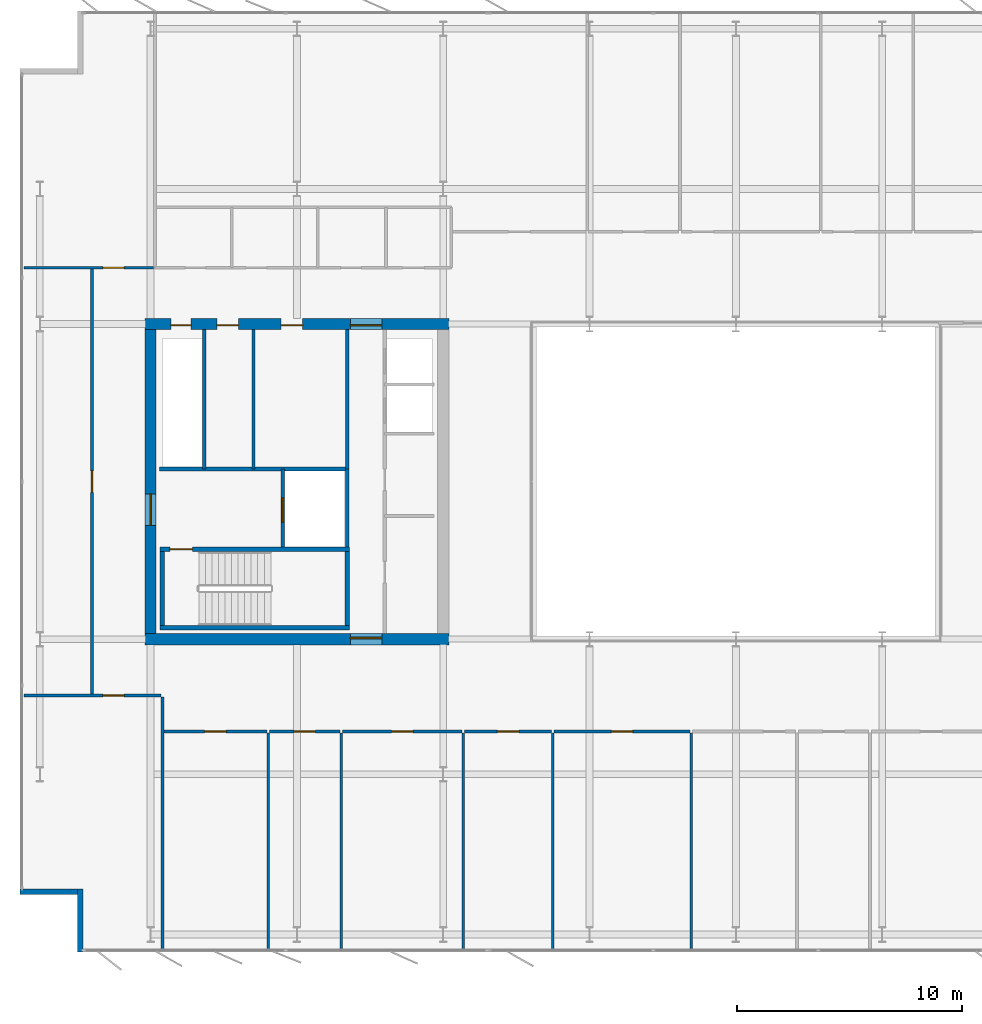
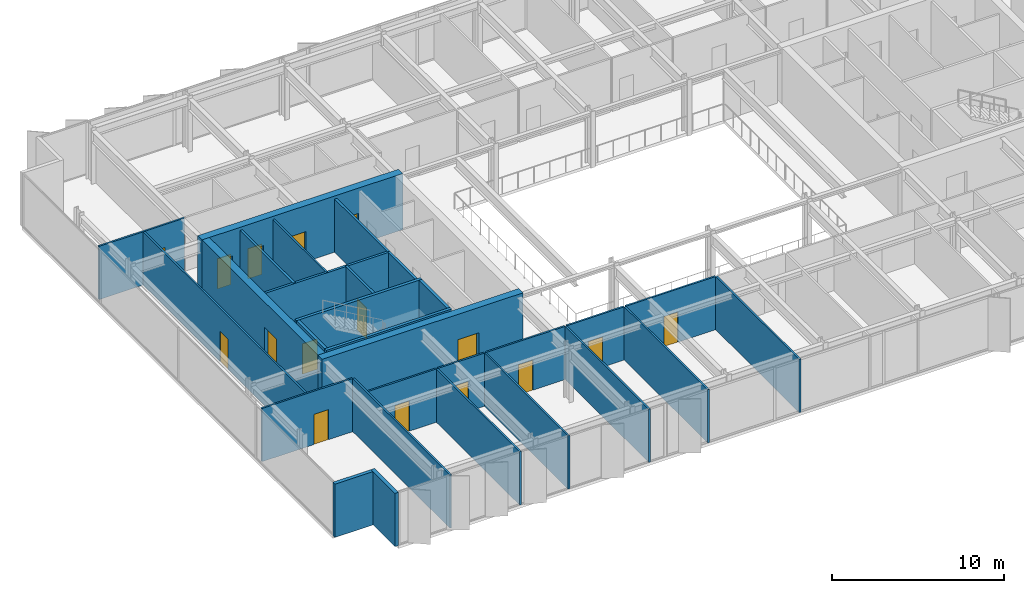
# One storey, part 13 of 20: 29 walls, 16 doors, 16 openings.
"""IFC4 building model written with IfcOpenShell, lengths in metres."""

from ifc_helpers import new_model, si_unit, direction, frame, frame_2d, origin, place, context, subcontext, project, spatial, rectangle, extrude, material, layer, layer_set, type_object, element, fill, save


model = new_model("IFC4")

# Units and contexts
model_context = context("Model", 3, precision=1e-05, world=origin(), true_north=direction((0.0, 1.0)))
body_context = subcontext(model_context, "Body", "Model", "MODEL_VIEW")
ifc_project = project(units=[si_unit("LENGTHUNIT", "METRE"), si_unit("AREAUNIT", "SQUARE_METRE"), si_unit("VOLUMEUNIT", "CUBIC_METRE"), si_unit("PLANEANGLEUNIT", "RADIAN"), si_unit("MASSUNIT", "GRAM", prefix="KILO")], contexts=[model_context])

# Site, building, storey
site_placement = place(None, origin())
site = spatial("IfcSite", under=ifc_project, at=site_placement, CompositionType="ELEMENT")
building_placement = place(site_placement, origin())
building = spatial("IfcBuilding", under=site, at=building_placement, Name="Putna Gate Headquarters", CompositionType="ELEMENT")
storey_placement = place(building_placement, frame((0.0, 0.0, 302.39990234375)))
storey = spatial("IfcBuildingStorey", under=building, at=storey_placement, Name="L76", CompositionType="ELEMENT", Elevation=302.39990234375)

# Wall, opening, door
ifc_material_1 = material(Name="Concrete C50/60", Category="concrete")
ifc_layer_1 = layer(ifc_material_1, 0.5)
ifc_layer_set_1 = layer_set([ifc_layer_1], Name="Concrete C50/60")
wall_type_1 = type_object("IfcWallType", Name="WALL-CORE-500", PredefinedType="SHEAR", material=ifc_layer_set_1)
wall_1_placement = place(storey_placement, frame((12.75, 19.0, 0.0), z_axis=(0.0, 0.0, 1.0), x_axis=(1.0, 0.0, 0.0)))
wall_1 = element("IfcWall", 1, at=wall_1_placement, inside=storey, type_object=wall_type_1, Name="L76 WC Split Core Shear Wall S", PredefinedType="SHEAR", context=body_context, shape_type="SweptSolid", body=[
    extrude(rectangle(XDim=13.5, YDim=0.5, at=frame_2d((6.75, 0.0))), origin(), (0.0, 0.0, 1.0), 4.0),
])
opening_1_placement = place(wall_1_placement, frame((9.1298828125, 0.0, 0.0)))
opening_1 = element("IfcOpeningElement", 2, at=opening_1_placement, cuts=wall_1, Name="Opening FDD-140", PredefinedType="OPENING", context=body_context, shape_type="SweptSolid", body=[
    extrude(rectangle(XDim=1.39990234375, YDim=2.199951171875, at=frame_2d((0.699951171875, 1.10009765625))), frame((0.0, 0.260009765625, 0.0), z_axis=(0.0, -1.0, 0.0), x_axis=(1.0, 0.0, 0.0)), (0.0, 0.0, 1.0), 0.52001953125),
])
ifc_material_2 = material(Name="Double steel fire door", Category="steel")
door_type_1 = type_object("IfcDoorType", Name="DOOR-FIRE-DBL-1400", OperationType="DOUBLE_DOOR_SINGLE_SWING", PredefinedType="DOOR", material=ifc_material_2)
door_1_placement = place(opening_1_placement, origin())
door_1 = element("IfcDoor", 3, at=door_1_placement, inside=storey, type_object=door_type_1, Name="L76 West Lift Lobby South Door", OperationType="DOUBLE_DOOR_SINGLE_SWING", OverallHeight=2.199951171875, OverallWidth=1.39990234375, PredefinedType="DOOR", context=body_context, shape_type="SweptSolid", body=[
    extrude(rectangle(XDim=1.39990234375, YDim=2.199951171875, at=frame_2d((0.699951171875, 1.10009765625))), frame((0.0, 0.0751953125, 0.0), z_axis=(0.0, -1.0, 0.0), x_axis=(1.0, 0.0, 0.0)), (0.0, 0.0, 1.0), 0.050048828125),
])
fill(opening_1, door_1)

# Wall, openings, doors
wall_2_placement = place(storey_placement, frame((12.75, 33.0, 0.0), z_axis=(0.0, 0.0, 1.0), x_axis=(1.0, 0.0, 0.0)))
wall_2 = element("IfcWall", 4, at=wall_2_placement, inside=storey, type_object=wall_type_1, Name="L76 WC Split Core Shear Wall N", PredefinedType="SHEAR", context=body_context, shape_type="SweptSolid", body=[
    extrude(rectangle(XDim=13.5, YDim=0.5, at=frame_2d((6.75, 0.0))), origin(), (0.0, 0.0, 1.0), 4.0),
])
opening_2_placement = place(wall_2_placement, frame((1.14990234375, 0.0, 0.0)))
opening_2 = element("IfcOpeningElement", 5, at=opening_2_placement, cuts=wall_2, Name="Opening RD-90", PredefinedType="OPENING", context=body_context, shape_type="SweptSolid", body=[
    extrude(rectangle(XDim=0.89990234375, YDim=2.14990234375, at=frame_2d((0.449951171875, 1.074951171875))), frame((0.0, 0.260009765625, 0.0), z_axis=(0.0, -1.0, 0.0), x_axis=(1.0, 0.0, 0.0)), (0.0, 0.0, 1.0), 0.52001953125),
])
opening_3_placement = place(wall_2_placement, frame((3.199951171875, 0.0, 0.0)))
opening_3 = element("IfcOpeningElement", 6, at=opening_3_placement, cuts=wall_2, Name="Opening IDS-95", PredefinedType="OPENING", context=body_context, shape_type="SweptSolid", body=[
    extrude(rectangle(XDim=0.949951171875, YDim=2.14990234375, at=frame_2d((0.47509765625, 1.074951171875))), frame((0.0, 0.260009765625, 0.0), z_axis=(0.0, -1.0, 0.0), x_axis=(1.0, 0.0, 0.0)), (0.0, 0.0, 1.0), 0.52001953125),
])
opening_4_placement = place(wall_2_placement, frame((6.050048828125, 0.0, 0.0)))
opening_4 = element("IfcOpeningElement", 7, at=opening_4_placement, cuts=wall_2, Name="Opening IDS-95", PredefinedType="OPENING", context=body_context, shape_type="SweptSolid", body=[
    extrude(rectangle(XDim=0.949951171875, YDim=2.14990234375, at=frame_2d((0.47509765625, 1.074951171875))), frame((0.0, 0.260009765625, 0.0), z_axis=(0.0, -1.0, 0.0), x_axis=(1.0, 0.0, 0.0)), (0.0, 0.0, 1.0), 0.52001953125),
])
opening_5_placement = place(wall_2_placement, frame((9.1298828125, 0.0, 0.0)))
opening_5 = element("IfcOpeningElement", 8, at=opening_5_placement, cuts=wall_2, Name="Opening FDD-140", PredefinedType="OPENING", context=body_context, shape_type="SweptSolid", body=[
    extrude(rectangle(XDim=1.39990234375, YDim=2.199951171875, at=frame_2d((0.699951171875, 1.10009765625))), frame((0.0, 0.260009765625, 0.0), z_axis=(0.0, -1.0, 0.0), x_axis=(1.0, 0.0, 0.0)), (0.0, 0.0, 1.0), 0.52001953125),
])
door_2_placement = place(opening_5_placement, origin())
door_2 = element("IfcDoor", 9, at=door_2_placement, inside=storey, type_object=door_type_1, Name="L76 West Lift Lobby North Door", OperationType="DOUBLE_DOOR_SINGLE_SWING", OverallHeight=2.199951171875, OverallWidth=1.39990234375, PredefinedType="DOOR", context=body_context, shape_type="SweptSolid", body=[
    extrude(rectangle(XDim=1.39990234375, YDim=2.199951171875, at=frame_2d((0.699951171875, 1.10009765625))), frame((0.0, -0.02490234375, 0.0), z_axis=(0.0, -1.0, 0.0), x_axis=(1.0, 0.0, 0.0)), (0.0, 0.0, 1.0), 0.050048828125),
])
fill(opening_5, door_2)
ifc_material_3 = material(Name="Fire-rated service timber door", Category="wood")
door_type_2 = type_object("IfcDoorType", Name="DOOR-INT-950", OperationType="NOTDEFINED", PredefinedType="DOOR", material=ifc_material_3)
door_3_placement = place(opening_3_placement, origin())
door_3 = element("IfcDoor", 10, at=door_3_placement, inside=storey, type_object=door_type_2, Name="L76 Archive Store Door", OperationType="SINGLE_SWING_LEFT", OverallHeight=2.14990234375, OverallWidth=0.949951171875, PredefinedType="DOOR", context=body_context, shape_type="SweptSolid", body=[
    extrude(rectangle(XDim=0.949951171875, YDim=2.14990234375, at=frame_2d((0.47509765625, 1.074951171875))), frame((0.0, -0.02490234375, 0.0), z_axis=(0.0, -1.0, 0.0), x_axis=(1.0, 0.0, 0.0)), (0.0, 0.0, 1.0), 0.050048828125),
])
fill(opening_3, door_3)
door_4_placement = place(opening_4_placement, origin())
door_4 = element("IfcDoor", 11, at=door_4_placement, inside=storey, type_object=door_type_2, Name="L76 Switchgear Plant Door", OperationType="SINGLE_SWING_RIGHT", OverallHeight=2.14990234375, OverallWidth=0.949951171875, PredefinedType="DOOR", context=body_context, shape_type="SweptSolid", body=[
    extrude(rectangle(XDim=0.949951171875, YDim=2.14990234375, at=frame_2d((0.47509765625, 1.074951171875))), frame((0.0, -0.02490234375, 0.0), z_axis=(0.0, -1.0, 0.0), x_axis=(1.0, 0.0, 0.0)), (0.0, 0.0, 1.0), 0.050048828125),
])
fill(opening_4, door_4)
ifc_material_4 = material(Name="Steel riser access fire door", Category="steel")
door_type_3 = type_object("IfcDoorType", Name="DOOR-RISER-900", OperationType="NOTDEFINED", PredefinedType="DOOR", material=ifc_material_4)
door_5_placement = place(opening_2_placement, origin())
door_5 = element("IfcDoor", 12, at=door_5_placement, inside=storey, type_object=door_type_3, Name="L76 West Riser Access Door", OperationType="SINGLE_SWING_RIGHT", OverallHeight=2.14990234375, OverallWidth=0.89990234375, PredefinedType="DOOR", context=body_context, shape_type="SweptSolid", body=[
    extrude(rectangle(XDim=0.89990234375, YDim=2.14990234375, at=frame_2d((0.449951171875, 1.074951171875))), frame((0.0, -0.02490234375, 0.0), z_axis=(0.0, -1.0, 0.0), x_axis=(1.0, 0.0, 0.0)), (0.0, 0.0, 1.0), 0.050048828125),
])
fill(opening_2, door_5)

# Wall, opening, door
wall_3_placement = place(storey_placement, frame((13.0, 19.25, 0.0), z_axis=(0.0, 0.0, 1.0), x_axis=(0.0, 1.0, 0.0)))
wall_3 = element("IfcWall", 13, at=wall_3_placement, inside=storey, type_object=wall_type_1, Name="L76 WC Split Core Shear Wall W", PredefinedType="SHEAR", context=body_context, shape_type="SweptSolid", body=[
    extrude(rectangle(XDim=13.5, YDim=0.5, at=frame_2d((6.75, 0.0))), origin(), (0.0, 0.0, 1.0), 4.0),
])
opening_6_placement = place(wall_3_placement, frame((4.800048828125, 0.0, 0.0)))
opening_6 = element("IfcOpeningElement", 14, at=opening_6_placement, cuts=wall_3, Name="Opening FDD-140", PredefinedType="OPENING", context=body_context, shape_type="SweptSolid", body=[
    extrude(rectangle(XDim=1.39990234375, YDim=2.199951171875, at=frame_2d((0.699951171875, 1.10009765625))), frame((0.0, 0.260009765625, 0.0), z_axis=(0.0, -1.0, 0.0), x_axis=(1.0, 0.0, 0.0)), (0.0, 0.0, 1.0), 0.52001953125),
])
door_6_placement = place(opening_6_placement, origin())
door_6 = element("IfcDoor", 15, at=door_6_placement, inside=storey, type_object=door_type_1, Name="L76 West Firefighting Lobby Door", OperationType="DOUBLE_DOOR_SINGLE_SWING", OverallHeight=2.199951171875, OverallWidth=1.39990234375, PredefinedType="DOOR", context=body_context, shape_type="SweptSolid", body=[
    extrude(rectangle(XDim=1.39990234375, YDim=2.199951171875, at=frame_2d((0.699951171875, 1.10009765625))), frame((0.0, 0.02490234375, 0.0), z_axis=(0.0, -1.0, 0.0), x_axis=(1.0, 0.0, 0.0)), (0.0, 0.0, 1.0), 0.050048828125),
])
fill(opening_6, door_6)

# Walls
ifc_material_5 = material(Name="Precast concrete C40/50", Category="concrete")
ifc_layer_2 = layer(ifc_material_5, 0.239990234375)
ifc_layer_set_2 = layer_set([ifc_layer_2], Name="Precast concrete C40/50")
wall_type_2 = type_object("IfcWallType", Name="WALL-EXT-TERR-240", PredefinedType="STANDARD", material=ifc_layer_set_2)
wall_4_placement = place(storey_placement, frame((9.8798828125, 5.10009765625, 0.0), z_axis=(0.0, 0.0, 1.0), x_axis=(0.0, 1.0, 0.0)))
element("IfcWall", 16, at=wall_4_placement, inside=storey, type_object=wall_type_2, Name="L76 Corner Notch Return Wall SW-V", PredefinedType="STANDARD", context=body_context, shape_type="SweptSolid", body=[
    extrude(rectangle(XDim=2.7998046875, YDim=0.239990234375, at=frame_2d((1.39990234375, 0.0))), origin(), (0.0, 0.0, 1.0), 3.7880859375),
])
wall_5_placement = place(storey_placement, frame((10.0, 7.780029296875, 0.0), z_axis=(0.0, 0.0, 1.0), x_axis=(-1.0, 0.0, 0.0)))
element("IfcWall", 17, at=wall_5_placement, inside=storey, type_object=wall_type_2, Name="L76 Corner Notch Return Wall SW-H", PredefinedType="STANDARD", context=body_context, shape_type="SweptSolid", body=[
    extrude(rectangle(XDim=2.800048828125, YDim=0.239990234375, at=frame_2d((1.39990234375, 0.0))), origin(), (0.0, 0.0, 1.0), 3.7880859375),
])
ifc_material_6 = material(Name="Acoustic gypsum board on metal stud")
ifc_layer_3 = layer(ifc_material_6, 0.1201171875)
ifc_layer_set_3 = layer_set([ifc_layer_3], Name="Acoustic gypsum board on metal stud")
wall_type_3 = type_object("IfcWallType", Name="WALL-PART-120", PredefinedType="PARTITIONING", material=ifc_layer_set_3)
wall_6_placement = place(storey_placement, frame((13.530517578125, 5.1201171875, 0.0), z_axis=(0.0, 0.0, 1.0), x_axis=(0.0, 1.0, 0.0)))
element("IfcWall", 18, at=wall_6_placement, inside=storey, type_object=wall_type_3, Name="L76 Interior Wall PART-L76-SB-DIV-01", PredefinedType="PARTITIONING", context=body_context, shape_type="SweptSolid", body=[
    extrude(rectangle(XDim=11.31982421875, YDim=0.1201171875, at=frame_2d((5.659912109375, 0.0))), origin(), (0.0, 0.0, 1.0), 3.7880859375),
])
for number, where, z_axis, x_axis, name in (
    (19, (18.224853515625, 5.1201171875, 0.0), (0.0, 0.0, 1.0), (0.0, 1.0, 0.0), "L76 Interior Wall PART-L76-SB-DIV-02"),
    (20, (21.4697265625, 5.1201171875, 0.0), (0.0, 0.0, 1.0), (0.0, 1.0, 0.0), "L76 Interior Wall PART-L76-SB-DIV-03"),
    (21, (26.8955078125, 5.1201171875, 0.0), (0.0, 0.0, 1.0), (0.0, 1.0, 0.0), "L76 Interior Wall PART-L76-SB-DIV-04"),
    (22, (30.864990234375, 5.1201171875, 0.0), (0.0, 0.0, 1.0), (0.0, 1.0, 0.0), "L76 Interior Wall PART-L76-SB-DIV-05"),
    (23, (37.015380859375, 5.1201171875, 0.0), (0.0, 0.0, 1.0), (0.0, 1.0, 0.0), "L76 Interior Wall PART-L76-SB-DIV-06"),
):
    element("IfcWall", number, at=place(storey_placement, frame(where, z_axis=z_axis, x_axis=x_axis)), inside=storey, type_object=wall_type_3, Name=name, PredefinedType="PARTITIONING", context=body_context, shape_type="SweptSolid", body=[
        extrude(rectangle(XDim=9.719970703125, YDim=0.1201171875, at=frame_2d((4.85986328125, 0.0))), origin(), (0.0, 0.0, 1.0), 3.7880859375),
    ])
ifc_material_7 = material(Name="Fire-rated gypsum board on metal stud")
ifc_layer_4 = layer(ifc_material_7, 0.1201171875)
ifc_layer_set_4 = layer_set([ifc_layer_4], Name="Fire-rated gypsum board on metal stud")
wall_type_4 = type_object("IfcWallType", Name="WALL-PART-120-RATED", PredefinedType="PARTITIONING", material=ifc_layer_set_4)
wall_7_placement = place(storey_placement, frame((17.570068359375, 26.56005859375, 0.0), z_axis=(0.0, 0.0, 1.0), x_axis=(0.0, 1.0, 0.0)))
element("IfcWall", 24, at=wall_7_placement, inside=storey, type_object=wall_type_4, Name="L76 Interior Wall CWINT-L76-WC-K1-DIV", PredefinedType="PARTITIONING", context=body_context, shape_type="SweptSolid", body=[
    extrude(rectangle(XDim=6.18994140625, YDim=0.1201171875, at=frame_2d((3.094970703125, 0.0))), origin(), (0.0, 0.0, 1.0), 3.7880859375),
])

# Wall, opening, door
wall_8_placement = place(storey_placement, frame((7.3798828125, 35.5, 0.0), z_axis=(0.0, 0.0, 1.0), x_axis=(1.0, 0.0, 0.0)))
wall_8 = element("IfcWall", 25, at=wall_8_placement, inside=storey, type_object=wall_type_4, Name="L76 Interior Wall PART-L76-NB-CW-01", PredefinedType="PARTITIONING", context=body_context, shape_type="SweptSolid", body=[
    extrude(rectangle(XDim=5.760009765625, YDim=0.1201171875, at=frame_2d((2.8798828125, 0.0))), origin(), (0.0, 0.0, 1.0), 3.7880859375),
])
opening_7_placement = place(wall_8_placement, frame((3.5, 0.0, 0.0)))
opening_7 = element("IfcOpeningElement", 26, at=opening_7_placement, cuts=wall_8, Name="Opening FD-95", PredefinedType="OPENING", context=body_context, shape_type="SweptSolid", body=[
    extrude(rectangle(XDim=0.949951171875, YDim=2.14990234375, at=frame_2d((0.47509765625, 1.074951171875))), frame((0.0, 0.070068359375, 0.0), z_axis=(0.0, -1.0, 0.0), x_axis=(1.0, 0.0, 0.0)), (0.0, 0.0, 1.0), 0.14013671875),
])
ifc_material_8 = material(Name="Acoustic timber fire door", Category="wood")
door_type_4 = type_object("IfcDoorType", Name="DOOR-FIRE-950", OperationType="NOTDEFINED", PredefinedType="DOOR", material=ifc_material_8)
door_7_placement = place(opening_7_placement, origin())
door_7 = element("IfcDoor", 27, at=door_7_placement, inside=storey, type_object=door_type_4, Name="L76 Cellular Office 4 Door", OperationType="SINGLE_SWING_RIGHT", OverallHeight=2.14990234375, OverallWidth=0.949951171875, PredefinedType="DOOR", context=body_context, shape_type="SweptSolid", body=[
    extrude(rectangle(XDim=0.949951171875, YDim=2.14990234375, at=frame_2d((0.47509765625, 1.074951171875))), frame((0.0, 0.02490234375, 0.0), z_axis=(0.0, -1.0, 0.0), x_axis=(1.0, 0.0, 0.0)), (0.0, 0.0, 1.0), 0.050048828125),
])
fill(opening_7, door_7)

wall_9_placement = place(storey_placement, frame((7.3798828125, 16.5, 0.0), z_axis=(0.0, 0.0, 1.0), x_axis=(1.0, 0.0, 0.0)))
wall_9 = element("IfcWall", 28, at=wall_9_placement, inside=storey, type_object=wall_type_4, Name="L76 Interior Wall PART-L76-SB-CW-01", PredefinedType="PARTITIONING", context=body_context, shape_type="SweptSolid", body=[
    extrude(rectangle(XDim=6.090576171875, YDim=0.1201171875, at=frame_2d((3.04541015625, 0.0))), origin(), (0.0, 0.0, 1.0), 3.7880859375),
])
opening_8_placement = place(wall_9_placement, frame((3.5, 0.0, 0.0)))
opening_8 = element("IfcOpeningElement", 29, at=opening_8_placement, cuts=wall_9, Name="Opening FD-95", PredefinedType="OPENING", context=body_context, shape_type="SweptSolid", body=[
    extrude(rectangle(XDim=0.949951171875, YDim=2.14990234375, at=frame_2d((0.47509765625, 1.074951171875))), frame((0.0, 0.070068359375, 0.0), z_axis=(0.0, -1.0, 0.0), x_axis=(1.0, 0.0, 0.0)), (0.0, 0.0, 1.0), 0.14013671875),
])
door_8_placement = place(opening_8_placement, origin())
door_8 = element("IfcDoor", 30, at=door_8_placement, inside=storey, type_object=door_type_4, Name="L76 Cellular Office 6 Door", OperationType="SINGLE_SWING_RIGHT", OverallHeight=2.14990234375, OverallWidth=0.949951171875, PredefinedType="DOOR", context=body_context, shape_type="SweptSolid", body=[
    extrude(rectangle(XDim=0.949951171875, YDim=2.14990234375, at=frame_2d((0.47509765625, 1.074951171875))), frame((0.0, 0.02490234375, 0.0), z_axis=(0.0, -1.0, 0.0), x_axis=(1.0, 0.0, 0.0)), (0.0, 0.0, 1.0), 0.050048828125),
])
fill(opening_8, door_8)

wall_10_placement = place(storey_placement, frame((13.590576171875, 14.89990234375, 0.0), z_axis=(0.0, 0.0, 1.0), x_axis=(1.0, 0.0, 0.0)))
wall_10 = element("IfcWall", 31, at=wall_10_placement, inside=storey, type_object=wall_type_4, Name="L76 Interior Wall PART-L76-SB-CW-02", PredefinedType="PARTITIONING", context=body_context, shape_type="SweptSolid", body=[
    extrude(rectangle(XDim=4.57421875, YDim=0.1201171875, at=frame_2d((2.287109375, 0.0))), origin(), (0.0, 0.0, 1.0), 3.7880859375),
])
opening_9_placement = place(wall_10_placement, frame((1.812255859375, 0.0, 0.0)))
opening_9 = element("IfcOpeningElement", 32, at=opening_9_placement, cuts=wall_10, Name="Opening FD-95", PredefinedType="OPENING", context=body_context, shape_type="SweptSolid", body=[
    extrude(rectangle(XDim=0.949951171875, YDim=2.14990234375, at=frame_2d((0.47509765625, 1.074951171875))), frame((0.0, 0.070068359375, 0.0), z_axis=(0.0, -1.0, 0.0), x_axis=(1.0, 0.0, 0.0)), (0.0, 0.0, 1.0), 0.14013671875),
])
door_9_placement = place(opening_9_placement, origin())
door_9 = element("IfcDoor", 33, at=door_9_placement, inside=storey, type_object=door_type_4, Name="L76 Conference Meeting Room 6 Door", OperationType="SINGLE_SWING_LEFT", OverallHeight=2.14990234375, OverallWidth=0.949951171875, PredefinedType="DOOR", context=body_context, shape_type="SweptSolid", body=[
    extrude(rectangle(XDim=0.949951171875, YDim=2.14990234375, at=frame_2d((0.47509765625, 1.074951171875))), frame((0.0, 0.02490234375, 0.0), z_axis=(0.0, -1.0, 0.0), x_axis=(1.0, 0.0, 0.0)), (0.0, 0.0, 1.0), 0.050048828125),
])
fill(opening_9, door_9)

wall_11_placement = place(storey_placement, frame((18.284912109375, 14.89990234375, 0.0), z_axis=(0.0, 0.0, 1.0), x_axis=(1.0, 0.0, 0.0)))
wall_11 = element("IfcWall", 34, at=wall_11_placement, inside=storey, type_object=wall_type_4, Name="L76 Interior Wall PART-L76-SB-CW-03", PredefinedType="PARTITIONING", context=body_context, shape_type="SweptSolid", body=[
    extrude(rectangle(XDim=3.124755859375, YDim=0.1201171875, at=frame_2d((1.5625, 0.0))), origin(), (0.0, 0.0, 1.0), 3.7880859375),
])
opening_10_placement = place(wall_11_placement, frame((1.08740234375, 0.0, 0.0)))
opening_10 = element("IfcOpeningElement", 35, at=opening_10_placement, cuts=wall_11, Name="Opening FD-95", PredefinedType="OPENING", context=body_context, shape_type="SweptSolid", body=[
    extrude(rectangle(XDim=0.949951171875, YDim=2.14990234375, at=frame_2d((0.47509765625, 1.074951171875))), frame((0.0, 0.070068359375, 0.0), z_axis=(0.0, -1.0, 0.0), x_axis=(1.0, 0.0, 0.0)), (0.0, 0.0, 1.0), 0.14013671875),
])
door_10_placement = place(opening_10_placement, origin())
door_10 = element("IfcDoor", 36, at=door_10_placement, inside=storey, type_object=door_type_4, Name="L76 Conference Meeting Room 7 Door", OperationType="SINGLE_SWING_RIGHT", OverallHeight=2.14990234375, OverallWidth=0.949951171875, PredefinedType="DOOR", context=body_context, shape_type="SweptSolid", body=[
    extrude(rectangle(XDim=0.949951171875, YDim=2.14990234375, at=frame_2d((0.47509765625, 1.074951171875))), frame((0.0, 0.02490234375, 0.0), z_axis=(0.0, -1.0, 0.0), x_axis=(1.0, 0.0, 0.0)), (0.0, 0.0, 1.0), 0.050048828125),
])
fill(opening_10, door_10)

wall_12_placement = place(storey_placement, frame((21.52978515625, 14.89990234375, 0.0), z_axis=(0.0, 0.0, 1.0), x_axis=(1.0, 0.0, 0.0)))
wall_12 = element("IfcWall", 37, at=wall_12_placement, inside=storey, type_object=wall_type_4, Name="L76 Interior Wall PART-L76-SB-CW-04", PredefinedType="PARTITIONING", context=body_context, shape_type="SweptSolid", body=[
    extrude(rectangle(XDim=5.3056640625, YDim=0.1201171875, at=frame_2d((2.65283203125, 0.0))), origin(), (0.0, 0.0, 1.0), 3.7880859375),
])
opening_11_placement = place(wall_12_placement, frame((2.177734375, 0.0, 0.0)))
opening_11 = element("IfcOpeningElement", 38, at=opening_11_placement, cuts=wall_12, Name="Opening FD-95", PredefinedType="OPENING", context=body_context, shape_type="SweptSolid", body=[
    extrude(rectangle(XDim=0.949951171875, YDim=2.14990234375, at=frame_2d((0.47509765625, 1.074951171875))), frame((0.0, 0.070068359375, 0.0), z_axis=(0.0, -1.0, 0.0), x_axis=(1.0, 0.0, 0.0)), (0.0, 0.0, 1.0), 0.14013671875),
])
door_11_placement = place(opening_11_placement, origin())
door_11 = element("IfcDoor", 39, at=door_11_placement, inside=storey, type_object=door_type_4, Name="L76 Conference Meeting Room 8 Door", OperationType="SINGLE_SWING_LEFT", OverallHeight=2.14990234375, OverallWidth=0.949951171875, PredefinedType="DOOR", context=body_context, shape_type="SweptSolid", body=[
    extrude(rectangle(XDim=0.949951171875, YDim=2.14990234375, at=frame_2d((0.47509765625, 1.074951171875))), frame((0.0, 0.02490234375, 0.0), z_axis=(0.0, -1.0, 0.0), x_axis=(1.0, 0.0, 0.0)), (0.0, 0.0, 1.0), 0.050048828125),
])
fill(opening_11, door_11)

wall_13_placement = place(storey_placement, frame((26.955322265625, 14.89990234375, 0.0), z_axis=(0.0, 0.0, 1.0), x_axis=(1.0, 0.0, 0.0)))
wall_13 = element("IfcWall", 40, at=wall_13_placement, inside=storey, type_object=wall_type_4, Name="L76 Interior Wall PART-L76-SB-CW-05", PredefinedType="PARTITIONING", context=body_context, shape_type="SweptSolid", body=[
    extrude(rectangle(XDim=3.849609375, YDim=0.1201171875, at=frame_2d((1.9248046875, 0.0))), origin(), (0.0, 0.0, 1.0), 3.7880859375),
])
opening_12_placement = place(wall_13_placement, frame((1.44970703125, 0.0, 0.0)))
opening_12 = element("IfcOpeningElement", 41, at=opening_12_placement, cuts=wall_13, Name="Opening FD-95", PredefinedType="OPENING", context=body_context, shape_type="SweptSolid", body=[
    extrude(rectangle(XDim=0.949951171875, YDim=2.14990234375, at=frame_2d((0.47509765625, 1.074951171875))), frame((0.0, 0.070068359375, 0.0), z_axis=(0.0, -1.0, 0.0), x_axis=(1.0, 0.0, 0.0)), (0.0, 0.0, 1.0), 0.14013671875),
])
door_12_placement = place(opening_12_placement, origin())
door_12 = element("IfcDoor", 42, at=door_12_placement, inside=storey, type_object=door_type_4, Name="L76 Collaborative Breakout Lounge 1 Door", OperationType="SINGLE_SWING_RIGHT", OverallHeight=2.14990234375, OverallWidth=0.949951171875, PredefinedType="DOOR", context=body_context, shape_type="SweptSolid", body=[
    extrude(rectangle(XDim=0.949951171875, YDim=2.14990234375, at=frame_2d((0.47509765625, 1.074951171875))), frame((0.0, 0.02490234375, 0.0), z_axis=(0.0, -1.0, 0.0), x_axis=(1.0, 0.0, 0.0)), (0.0, 0.0, 1.0), 0.050048828125),
])
fill(opening_12, door_12)

wall_14_placement = place(storey_placement, frame((30.925048828125, 14.89990234375, 0.0), z_axis=(0.0, 0.0, 1.0), x_axis=(1.0, 0.0, 0.0)))
wall_14 = element("IfcWall", 43, at=wall_14_placement, inside=storey, type_object=wall_type_4, Name="L76 Interior Wall PART-L76-SB-CW-06", PredefinedType="PARTITIONING", context=body_context, shape_type="SweptSolid", body=[
    extrude(rectangle(XDim=6.030517578125, YDim=0.1201171875, at=frame_2d((3.01513671875, 0.0))), origin(), (0.0, 0.0, 1.0), 3.7880859375),
])
opening_13_placement = place(wall_14_placement, frame((2.540283203125, 0.0, 0.0)))
opening_13 = element("IfcOpeningElement", 44, at=opening_13_placement, cuts=wall_14, Name="Opening FD-95", PredefinedType="OPENING", context=body_context, shape_type="SweptSolid", body=[
    extrude(rectangle(XDim=0.949951171875, YDim=2.14990234375, at=frame_2d((0.47509765625, 1.074951171875))), frame((0.0, 0.070068359375, 0.0), z_axis=(0.0, -1.0, 0.0), x_axis=(1.0, 0.0, 0.0)), (0.0, 0.0, 1.0), 0.14013671875),
])
door_13_placement = place(opening_13_placement, origin())
door_13 = element("IfcDoor", 45, at=door_13_placement, inside=storey, type_object=door_type_4, Name="L76 Collaborative Breakout Lounge 2 Door", OperationType="SINGLE_SWING_LEFT", OverallHeight=2.14990234375, OverallWidth=0.949951171875, PredefinedType="DOOR", context=body_context, shape_type="SweptSolid", body=[
    extrude(rectangle(XDim=0.949951171875, YDim=2.14990234375, at=frame_2d((0.47509765625, 1.074951171875))), frame((0.0, 0.02490234375, 0.0), z_axis=(0.0, -1.0, 0.0), x_axis=(1.0, 0.0, 0.0)), (0.0, 0.0, 1.0), 0.050048828125),
])
fill(opening_13, door_13)

wall_15_placement = place(storey_placement, frame((10.39990234375, 16.5, 0.0), z_axis=(0.0, 0.0, 1.0), x_axis=(0.0, 1.0, 0.0)))
wall_15 = element("IfcWall", 46, at=wall_15_placement, inside=storey, type_object=wall_type_4, Name="L76 Interior Wall PART-L76-WW-CW-1", PredefinedType="PARTITIONING", context=body_context, shape_type="SweptSolid", body=[
    extrude(rectangle(XDim=19.0, YDim=0.1201171875, at=frame_2d((9.5, 0.0))), origin(), (0.0, 0.0, 1.0), 3.7880859375),
])
opening_14_placement = place(wall_15_placement, frame((9.02490234375, 0.0, 0.0)))
opening_14 = element("IfcOpeningElement", 47, at=opening_14_placement, cuts=wall_15, Name="Opening FD-95", PredefinedType="OPENING", context=body_context, shape_type="SweptSolid", body=[
    extrude(rectangle(XDim=0.949951171875, YDim=2.14990234375, at=frame_2d((0.47509765625, 1.074951171875))), frame((0.0, 0.070068359375, 0.0), z_axis=(0.0, -1.0, 0.0), x_axis=(1.0, 0.0, 0.0)), (0.0, 0.0, 1.0), 0.14013671875),
])
door_14_placement = place(opening_14_placement, origin())
door_14 = element("IfcDoor", 48, at=door_14_placement, inside=storey, type_object=door_type_4, Name="L76 West Project Meeting Room 1 Door", OperationType="SINGLE_SWING_RIGHT", OverallHeight=2.14990234375, OverallWidth=0.949951171875, PredefinedType="DOOR", context=body_context, shape_type="SweptSolid", body=[
    extrude(rectangle(XDim=0.949951171875, YDim=2.14990234375, at=frame_2d((0.47509765625, 1.074951171875))), frame((0.0, 0.02490234375, 0.0), z_axis=(0.0, -1.0, 0.0), x_axis=(1.0, 0.0, 0.0)), (0.0, 0.0, 1.0), 0.050048828125),
])
fill(opening_14, door_14)

# Wall
ifc_material_9 = material(Name="Concrete C40/50", Category="concrete")
ifc_layer_5 = layer(ifc_material_9, 0.159912109375)
ifc_layer_set_5 = layer_set([ifc_layer_5], Name="Concrete C40/50")
wall_type_5 = type_object("IfcWallType", Name="WALL-SHAFT-160", PredefinedType="STANDARD", material=ifc_layer_set_5)
wall_16_placement = place(storey_placement, frame((21.739990234375, 23.090087890625, 0.0), z_axis=(0.0, 0.0, 1.0), x_axis=(0.0, 1.0, 0.0)))
element("IfcWall", 49, at=wall_16_placement, inside=storey, type_object=wall_type_5, Name="L76 Interior Wall CWINT-L76-WC-FFL-E", PredefinedType="STANDARD", context=body_context, shape_type="SweptSolid", body=[
    extrude(rectangle(XDim=3.469970703125, YDim=0.159912109375, at=frame_2d((1.73486328125, 0.0))), origin(), (0.0, 0.0, 1.0), 3.7880859375),
])

# Wall, opening, door
wall_17_placement = place(storey_placement, frame((18.8798828125, 23.090087890625, 0.0), z_axis=(0.0, 0.0, 1.0), x_axis=(0.0, 1.0, 0.0)))
wall_17 = element("IfcWall", 50, at=wall_17_placement, inside=storey, type_object=wall_type_5, Name="L76 Interior Wall CWINT-L76-WC-LF13-W", PredefinedType="STANDARD", context=body_context, shape_type="SweptSolid", body=[
    extrude(rectangle(XDim=3.469970703125, YDim=0.159912109375, at=frame_2d((1.73486328125, 0.0))), origin(), (0.0, 0.0, 1.0), 3.7880859375),
])
opening_15_placement = place(wall_17_placement, frame((1.10009765625, 0.0, 0.0)))
opening_15 = element("IfcOpeningElement", 51, at=opening_15_placement, cuts=wall_17, Name="Opening LD-1", PredefinedType="OPENING", context=body_context, shape_type="SweptSolid", body=[
    extrude(rectangle(XDim=1.10009765625, YDim=2.199951171875, at=frame_2d((0.550048828125, 1.10009765625))), frame((0.0, 0.08984375, 0.0), z_axis=(0.0, -1.0, 0.0), x_axis=(1.0, 0.0, 0.0)), (0.0, 0.0, 1.0), 0.179931640625),
])
ifc_material_10 = material(Name="Brushed bronze stainless lift landing door")
door_type_5 = type_object("IfcDoorType", Name="DOOR-LIFT-1100", OperationType="DOUBLE_DOOR_SLIDING", PredefinedType="DOOR", material=ifc_material_10)
door_15_placement = place(opening_15_placement, origin())
door_15 = element("IfcDoor", 52, at=door_15_placement, inside=storey, type_object=door_type_5, Name="L76 Lift Landing Door LD-13", OperationType="DOUBLE_DOOR_SLIDING", OverallHeight=2.199951171875, OverallWidth=1.10009765625, PredefinedType="DOOR", context=body_context, shape_type="SweptSolid", body=[
    extrude(rectangle(XDim=1.10009765625, YDim=2.199951171875, at=frame_2d((0.550048828125, 1.10009765625))), frame((0.0, 0.02490234375, 0.0), z_axis=(0.0, -1.0, 0.0), x_axis=(1.0, 0.0, 0.0)), (0.0, 0.0, 1.0), 0.050048828125),
])
fill(opening_15, door_15)

# Walls
wall_18_placement = place(storey_placement, frame((13.39990234375, 26.56005859375, 0.0), z_axis=(0.0, 0.0, 1.0), x_axis=(1.0, 0.0, 0.0)))
element("IfcWall", 53, at=wall_18_placement, inside=storey, type_object=wall_type_5, Name="L76 Interior Wall CWINT-L76-WC-FFL-N", PredefinedType="STANDARD", context=body_context, shape_type="SweptSolid", body=[
    extrude(rectangle(XDim=8.340087890625, YDim=0.159912109375, at=frame_2d((4.169921875, 0.0))), origin(), (0.0, 0.0, 1.0), 3.7880859375),
])
for number, where, z_axis, x_axis, name in (
    (54, (15.3798828125, 26.56005859375, 0.0), (0.0, 0.0, 1.0), (0.0, 1.0, 0.0), "L76 Interior Wall CWINT-L76-WC-RISER-E"),
    (55, (21.739990234375, 26.56005859375, 0.0), (0.0, 0.0, 1.0), (0.0, 1.0, 0.0), "L76 Interior Wall CWINT-L76-WC-LOB-W"),
):
    element("IfcWall", number, at=place(storey_placement, frame(where, z_axis=z_axis, x_axis=x_axis)), inside=storey, type_object=wall_type_5, Name=name, PredefinedType="STANDARD", context=body_context, shape_type="SweptSolid", body=[
        extrude(rectangle(XDim=6.18994140625, YDim=0.159912109375, at=frame_2d((3.094970703125, 0.0))), origin(), (0.0, 0.0, 1.0), 3.7880859375),
    ])
ifc_layer_6 = layer(ifc_material_9, 0.199951171875)
ifc_layer_set_6 = layer_set([ifc_layer_6], Name="Concrete C40/50")
wall_type_6 = type_object("IfcWallType", Name="WALL-SHAFT-RC200", PredefinedType="SHEAR", material=ifc_layer_set_6)
wall_19_placement = place(storey_placement, frame((13.409912109375, 19.510009765625, 0.0), z_axis=(0.0, 0.0, 1.0), x_axis=(1.0, 0.0, 0.0)))
element("IfcWall", 56, at=wall_19_placement, inside=storey, type_object=wall_type_6, Name="L76 Stair ST1 Structural Shaft Wall S", PredefinedType="SHEAR", context=body_context, shape_type="SweptSolid", body=[
    extrude(rectangle(XDim=8.43017578125, YDim=0.199951171875, at=frame_2d((4.215087890625, 0.0))), origin(), (0.0, 0.0, 1.0), 4.0),
])

# Wall, opening, door
wall_20_placement = place(storey_placement, frame((13.409912109375, 22.989990234375, 0.0), z_axis=(0.0, 0.0, 1.0), x_axis=(1.0, 0.0, 0.0)))
wall_20 = element("IfcWall", 57, at=wall_20_placement, inside=storey, type_object=wall_type_6, Name="L76 Stair ST1 Structural Shaft Wall N", PredefinedType="SHEAR", context=body_context, shape_type="SweptSolid", body=[
    extrude(rectangle(XDim=8.43017578125, YDim=0.199951171875, at=frame_2d((4.215087890625, 0.0))), origin(), (0.0, 0.0, 1.0), 4.0),
])
opening_16_placement = place(wall_20_placement, frame((0.449951171875, 0.0, 0.0)))
opening_16 = element("IfcOpeningElement", 58, at=opening_16_placement, cuts=wall_20, Name="Opening FD-100", PredefinedType="OPENING", context=body_context, shape_type="SweptSolid", body=[
    extrude(rectangle(XDim=1.0, YDim=2.14990234375, at=frame_2d((0.5, 1.074951171875))), frame((0.0, 0.10986328125, 0.0), z_axis=(0.0, -1.0, 0.0), x_axis=(1.0, 0.0, 0.0)), (0.0, 0.0, 1.0), 0.219970703125),
])
ifc_material_11 = material(Name="Powder-coated steel fire door", Category="steel")
door_type_6 = type_object("IfcDoorType", Name="DOOR-FIRE-1000", OperationType="NOTDEFINED", PredefinedType="DOOR", material=ifc_material_11)
door_16_placement = place(opening_16_placement, origin())
door_16 = element("IfcDoor", 59, at=door_16_placement, inside=storey, type_object=door_type_6, Name="L76 Stair ST1 Fire Door", OperationType="SINGLE_SWING_LEFT", OverallHeight=2.14990234375, OverallWidth=1.0, PredefinedType="DOOR", context=body_context, shape_type="SweptSolid", body=[
    extrude(rectangle(XDim=1.0, YDim=2.14990234375, at=frame_2d((0.5, 1.074951171875))), frame((0.0, 0.02490234375, 0.0), z_axis=(0.0, -1.0, 0.0), x_axis=(1.0, 0.0, 0.0)), (0.0, 0.0, 1.0), 0.050048828125),
])
fill(opening_16, door_16)

# Walls
for number, where, z_axis, x_axis, name in (
    (60, (13.510009765625, 19.610107421875, 0.0), (0.0, 0.0, 1.0), (0.0, 1.0, 0.0), "L76 Stair ST1 Structural Shaft Wall W"),
    (61, (21.739990234375, 19.610107421875, 0.0), (0.0, 0.0, 1.0), (0.0, 1.0, 0.0), "L76 Stair ST1 Structural Shaft Wall E"),
):
    element("IfcWall", number, at=place(storey_placement, frame(where, z_axis=z_axis, x_axis=x_axis)), inside=storey, type_object=wall_type_6, Name=name, PredefinedType="SHEAR", context=body_context, shape_type="SweptSolid", body=[
        extrude(rectangle(XDim=3.27978515625, YDim=0.199951171875, at=frame_2d((1.639892578125, 0.0))), origin(), (0.0, 0.0, 1.0), 4.0),
    ])

save(model, "model.ifc")
